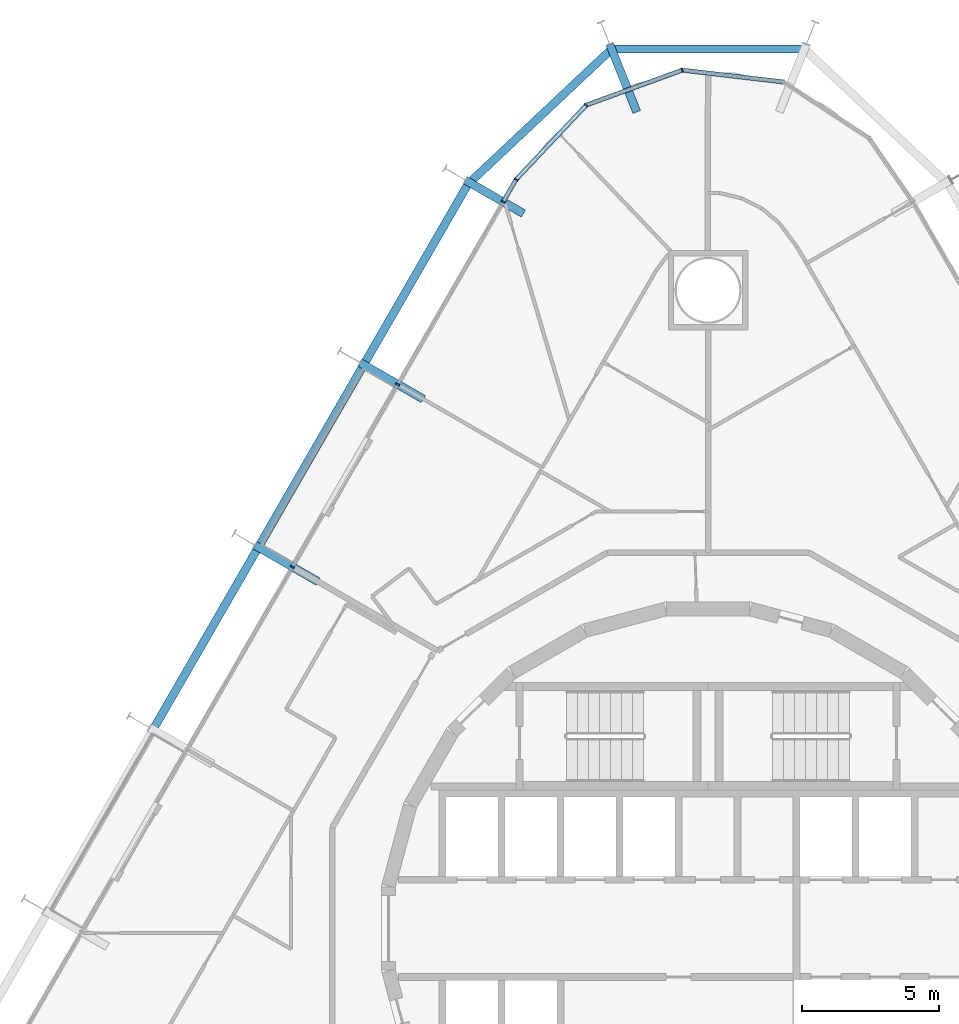
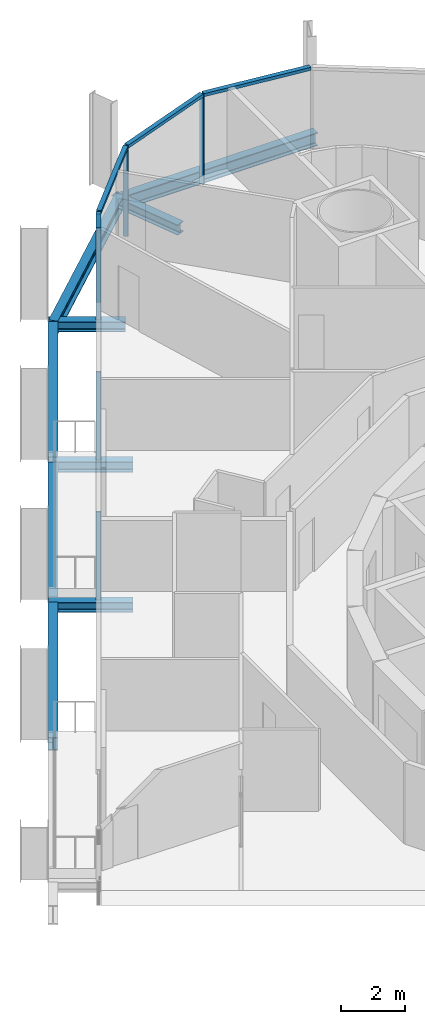
# One storey, part 9 of 19: 10 members, 9 beams, 2 elements without a shape of their own.
"""IFC4 building model written with IfcOpenShell, lengths in metres."""

from ifc_helpers import new_model, si_unit, direction, frame, origin, origin_2d, place, context, subcontext, project, spatial, rectangle, i_section, extrude, material, layer, layer_set, material_profile, profile_set, type_object, element, aggregate, save


model = new_model("IFC4")

# Units and contexts
model_context = context("Model", 3, precision=1e-05, world=origin(), true_north=direction((0.0, 1.0)))
body_context = subcontext(model_context, "Body", "Model", "MODEL_VIEW")
ifc_project = project(units=[si_unit("LENGTHUNIT", "METRE"), si_unit("AREAUNIT", "SQUARE_METRE"), si_unit("VOLUMEUNIT", "CUBIC_METRE"), si_unit("PLANEANGLEUNIT", "RADIAN"), si_unit("MASSUNIT", "GRAM", prefix="KILO")], contexts=[model_context])

# Site, building, storey
site_placement = place(None, origin())
site = spatial("IfcSite", under=ifc_project, at=site_placement, CompositionType="ELEMENT")
building_placement = place(site_placement, origin())
building = spatial("IfcBuilding", under=site, at=building_placement, Name="Spindle Arch Residences", CompositionType="ELEMENT")
storey_placement = place(building_placement, frame((0.0, 0.0, 45.39990234375)))
storey = spatial("IfcBuildingStorey", under=building, at=storey_placement, Name="L09", CompositionType="ELEMENT", Elevation=45.39990234375)

# Curtain wall, members
ifc_material_1 = material(Name="Aluminium bronze unitised frame with tinted glass", Category="aluminium")
ifc_layer_1 = layer(ifc_material_1, 0.159912109375)
ifc_layer_set_1 = layer_set([ifc_layer_1], Name="CW-D corner wall on the fillet arcs")
curtain_wall_type_1 = type_object("IfcCurtainWallType", Name="CW-D corner wall on the fillet arcs", PredefinedType="NOTDEFINED", material=ifc_layer_set_1)
curtain_wall_1_placement = place(storey_placement, origin())
curtain_wall_1 = element("IfcCurtainWall", 1, at=curtain_wall_1_placement, inside=storey, type_object=curtain_wall_type_1, Name="CW-D L09 run 3", PredefinedType="NOTDEFINED")
ifc_material_2 = material(Name="Aluminium bronze anodised mullion", Category="aluminium")
ifc_material_profile_1 = material_profile(ifc_material_2, rectangle(XDim=0.159912109375, YDim=0.06005859375, at=origin_2d()), Name="MU 60x160")
ifc_profile_set_1 = profile_set([ifc_material_profile_1], Name="Aluminium bronze anodised mullion")
member_type_1 = type_object("IfcMemberType", Name="Bronze mullion 60x160", PredefinedType="MULLION", material=ifc_profile_set_1)
member_1_placement = place(storey_placement, frame((-0.93798828125, 31.28515625, -0.3798828125), z_axis=(0.0, 0.0, 1.0), x_axis=(0.342020141538, -0.939692621437, 0.0)))
member_1 = element("IfcMember", 2, at=member_1_placement, type_object=member_type_1, Name="CW-D mullion 03", PredefinedType="MULLION", context=body_context, shape_type="SweptSolid", body=[
    extrude(rectangle(XDim=0.159912109375, YDim=0.06005859375, at=origin_2d()), origin(), (0.0, 0.0, 1.0), 3.3798828125),
])
member_2_placement = place(storey_placement, frame((-4.43994140625, 30.010498046875, -0.3798828125), z_axis=(0.0, 0.0, 1.0), x_axis=(0.727373640284, -0.686241639236, 0.0)))
member_2 = element("IfcMember", 3, at=member_2_placement, type_object=member_type_1, Name="CW-D mullion 04", PredefinedType="MULLION", context=body_context, shape_type="SweptSolid", body=[
    extrude(rectangle(XDim=0.159912109375, YDim=0.06005859375, at=origin_2d()), origin(), (0.0, 0.0, 1.0), 3.3798828125),
])
member_3_placement = place(storey_placement, frame((-6.99755859375, 27.2998046875, -0.3798828125), z_axis=(0.0, 0.0, 1.0), x_axis=(0.866025403784, -0.5, 0.0)))
member_3 = element("IfcMember", 4, at=member_3_placement, type_object=member_type_1, Name="CW-D mullion 05", PredefinedType="MULLION", context=body_context, shape_type="SweptSolid", body=[
    extrude(rectangle(XDim=0.159912109375, YDim=0.06005859375, at=origin_2d()), origin(), (0.0, 0.0, 1.0), 3.3798828125),
])

ifc_material_3 = material(Name="Aluminium bronze unitised frame with tinted glass", Category="aluminium")
ifc_layer_2 = layer(ifc_material_3, 0.159912109375)
ifc_layer_set_2 = layer_set([ifc_layer_2], Name="CW-C typical residential unitised wall")
curtain_wall_type_2 = type_object("IfcCurtainWallType", Name="CW-C typical residential unitised wall", PredefinedType="NOTDEFINED", material=ifc_layer_set_2)
curtain_wall_2_placement = place(storey_placement, origin())
curtain_wall_2 = element("IfcCurtainWall", 5, at=curtain_wall_2_placement, inside=storey, type_object=curtain_wall_type_2, Name="CW-C L09 run 4", PredefinedType="NOTDEFINED")
member_4_placement = place(storey_placement, frame((-7.46923828125, 26.48291015625, -0.3798828125), z_axis=(0.0, 0.0, 1.0), x_axis=(0.866025403784, -0.5, 0.0)))
member_4 = element("IfcMember", 6, at=member_4_placement, type_object=member_type_1, Name="CW-C mullion 13", PredefinedType="MULLION", context=body_context, shape_type="SweptSolid", body=[
    extrude(rectangle(XDim=0.159912109375, YDim=0.06005859375, at=origin_2d()), origin(), (0.0, 0.0, 1.0), 3.3798828125),
])
member_5_placement = place(storey_placement, frame((-11.309326171875, 19.83154296875, -0.3798828125), z_axis=(0.0, 0.0, 1.0), x_axis=(0.866025403784, -0.5, 0.0)))
member_5 = element("IfcMember", 7, at=member_5_placement, type_object=member_type_1, Name="CW-C mullion 14", PredefinedType="MULLION", context=body_context, shape_type="SweptSolid", body=[
    extrude(rectangle(XDim=0.159912109375, YDim=0.06005859375, at=origin_2d()), origin(), (0.0, 0.0, 1.0), 3.3798828125),
])
member_6_placement = place(storey_placement, frame((-15.149169921875, 13.180419921875, -0.3798828125), z_axis=(0.0, 0.0, 1.0), x_axis=(0.866025403784, -0.5, 0.0)))
member_6 = element("IfcMember", 8, at=member_6_placement, type_object=member_type_1, Name="CW-C mullion 15", PredefinedType="MULLION", context=body_context, shape_type="SweptSolid", body=[
    extrude(rectangle(XDim=0.159912109375, YDim=0.06005859375, at=origin_2d()), origin(), (0.0, 0.0, 1.0), 3.3798828125),
])
aggregate(curtain_wall_2, [member_4, member_5, member_6])

# Member
ifc_material_4 = material(Name="Aluminium bronze anodised transom", Category="aluminium")
ifc_material_profile_2 = material_profile(ifc_material_4, rectangle(XDim=0.159912109375, YDim=0.1201171875, at=origin_2d()), Name="TR 120x160")
ifc_profile_set_2 = profile_set([ifc_material_profile_2], Name="Aluminium bronze anodised transom")
member_type_2 = type_object("IfcMemberType", Name="Bronze transom 120x160", PredefinedType="USERDEFINED", material=ifc_profile_set_2)
member_7_placement = place(storey_placement, frame((2.733642578125, 30.85595703125, 3.06005859375), z_axis=(-0.993234881174, 0.116122654204, 0.0), x_axis=(-0.116122654204, -0.993234881174, 0.0)))
member_7 = element("IfcMember", 9, at=member_7_placement, type_object=member_type_2, Name="CW-D transom 02", ObjectType="TRANSOM", PredefinedType="USERDEFINED", context=body_context, shape_type="SweptSolid", body=[
    extrude(rectangle(XDim=0.159912109375, YDim=0.1201171875, at=origin_2d()), origin(), (0.0, 0.0, 1.0), 3.666748046875),
])

member_8_placement = place(storey_placement, frame((-0.96630859375, 31.27490234375, 3.06005859375), z_axis=(-0.939686455819, -0.342037080957, 0.0), x_axis=(0.342037080957, -0.939686455819, 0.0)))
member_8 = element("IfcMember", 10, at=member_8_placement, type_object=member_type_2, Name="CW-D transom 03", ObjectType="TRANSOM", PredefinedType="USERDEFINED", context=body_context, shape_type="SweptSolid", body=[
    extrude(rectangle(XDim=0.159912109375, YDim=0.1201171875, at=origin_2d()), origin(), (0.0, 0.0, 1.0), 3.666748046875),
])

member_9_placement = place(storey_placement, frame((-4.460693359375, 29.98876953125, 3.06005859375), z_axis=(-0.686199156324, -0.727413718498, 0.0), x_axis=(0.727413718498, -0.686199156324, 0.0)))
member_9 = element("IfcMember", 11, at=member_9_placement, type_object=member_type_2, Name="CW-D transom 04", ObjectType="TRANSOM", PredefinedType="USERDEFINED", context=body_context, shape_type="SweptSolid", body=[
    extrude(rectangle(XDim=0.159912109375, YDim=0.1201171875, at=origin_2d()), origin(), (0.0, 0.0, 1.0), 3.666748046875),
])

member_10_placement = place(storey_placement, frame((-7.012451171875, 27.27392578125, 3.06005859375), z_axis=(-0.499913830031, -0.866075148324, 0.0), x_axis=(0.866075148324, -0.499913830031, 0.0)))
member_10 = element("IfcMember", 12, at=member_10_placement, type_object=member_type_2, Name="CW-D transom 05", ObjectType="TRANSOM", PredefinedType="USERDEFINED", context=body_context, shape_type="SweptSolid", body=[
    extrude(rectangle(XDim=0.159912109375, YDim=0.1201171875, at=origin_2d()), origin(), (0.0, 0.0, 1.0), 0.883544921875),
])

aggregate(curtain_wall_1, [member_7, member_1, member_8, member_2, member_9, member_3, member_10])

# Beams
ifc_material_5 = material(Name="Steel S460ML, intumescent coating R 120", Category="steel")
ifc_material_profile_3 = material_profile(ifc_material_5, i_section(OverallWidth=0.300048828125, OverallDepth=0.5, WebThickness=0.014404296875, FlangeThickness=0.028076171875, FilletRadius=0.027099609375, at=origin_2d()), Name="HEB 500")
ifc_profile_set_3 = profile_set([ifc_material_profile_3], Name="Steel S460ML, intumescent coating R 120")
beam_type_1 = type_object("IfcBeamType", Name="Exoskeleton edge beam HEB 500", PredefinedType="BEAM", material=ifc_profile_set_3)
beam_1_placement = place(storey_placement, frame((3.6181640625, 32.051513671875, -0.6298828125), z_axis=(-1.0, 0.0, 0.0), x_axis=(0.0, -1.0, 0.0)))
element("IfcBeam", 13, at=beam_1_placement, inside=storey, type_object=beam_type_1, Name="Exoskeleton edge beam 12", PredefinedType="BEAM", context=body_context, shape_type="SweptSolid", body=[
    extrude(i_section(OverallWidth=0.300048828125, OverallDepth=0.5, WebThickness=0.014404296875, FlangeThickness=0.028076171875, FilletRadius=0.027099609375, at=origin_2d()), origin(), (0.0, 0.0, 1.0), 7.236328125),
])
beam_2_placement = place(storey_placement, frame((-3.45849609375, 32.105712890625, -0.6298828125), z_axis=(-0.728394714383, -0.685157748303, 0.0), x_axis=(0.685157748303, -0.728394714383, 0.0)))
element("IfcBeam", 14, at=beam_2_placement, inside=storey, type_object=beam_type_1, Name="Exoskeleton edge beam 13", PredefinedType="BEAM", context=body_context, shape_type="SweptSolid", body=[
    extrude(i_section(OverallWidth=0.300048828125, OverallDepth=0.5, WebThickness=0.014404296875, FlangeThickness=0.028076171875, FilletRadius=0.027099609375, at=origin_2d()), origin(), (0.0, 0.0, 1.0), 7.250244140625),
])
beam_3_placement = place(storey_placement, frame((-8.775146484375, 27.086669921875, -0.6298828125), z_axis=(-0.500003477455, -0.866023396066, 0.0), x_axis=(0.866023396066, -0.500003477455, 0.0)))
element("IfcBeam", 15, at=beam_3_placement, inside=storey, type_object=beam_type_1, Name="Exoskeleton edge beam 14", PredefinedType="BEAM", context=body_context, shape_type="SweptSolid", body=[
    extrude(i_section(OverallWidth=0.300048828125, OverallDepth=0.5, WebThickness=0.014404296875, FlangeThickness=0.028076171875, FilletRadius=0.027099609375, at=origin_2d()), origin(), (0.0, 0.0, 1.0), 7.419921875),
])
for number, where, z_axis, x_axis, name in (
    (16, (-12.615234375, 20.435546875, -0.6298828125), (-0.49998923004, -0.866031621735, 0.0), (0.866031621735, -0.49998923004, 0.0), "Exoskeleton edge beam 15"),
    (17, (-16.455078125, 13.784423828125, -0.6298828125), (-0.5000139068, -0.866017374541, 0.0), (0.866017374541, -0.5000139068, 0.0), "Exoskeleton edge beam 16"),
):
    element("IfcBeam", number, at=place(storey_placement, frame(where, z_axis=z_axis, x_axis=x_axis)), inside=storey, type_object=beam_type_1, Name=name, PredefinedType="BEAM", context=body_context, shape_type="SweptSolid", body=[
        extrude(i_section(OverallWidth=0.300048828125, OverallDepth=0.5, WebThickness=0.014404296875, FlangeThickness=0.028076171875, FilletRadius=0.027099609375, at=origin_2d()), origin(), (0.0, 0.0, 1.0), 7.420166015625),
    ])
ifc_material_6 = material(Name="Steel S460ML, intumescent coating R 120", Category="steel")
ifc_material_profile_4 = material_profile(ifc_material_6, i_section(OverallWidth=0.300048828125, OverallDepth=0.389892578125, WebThickness=0.010986328125, FlangeThickness=0.01904296875, FilletRadius=0.027099609375, at=origin_2d()), Name="HEA 400")
ifc_profile_set_4 = profile_set([ifc_material_profile_4], Name="Steel S460ML, intumescent coating R 120")
beam_type_2 = type_object("IfcBeamType", Name="Floor outrigger HEA 400", PredefinedType="BEAM", material=ifc_profile_set_4)
beam_4_placement = place(storey_placement, frame((-3.581298828125, 32.220703125, -0.574951171875), z_axis=(0.371104734129, -0.928591016706, 0.0), x_axis=(0.928591016706, 0.371104734129, 0.0)))
element("IfcBeam", 18, at=beam_4_placement, inside=storey, type_object=beam_type_2, Name="Floor outrigger 13", PredefinedType="BEAM", context=body_context, shape_type="SweptSolid", body=[
    extrude(i_section(OverallWidth=0.300048828125, OverallDepth=0.389892578125, WebThickness=0.010986328125, FlangeThickness=0.01904296875, FilletRadius=0.027099609375, at=origin_2d()), origin(), (0.0, 0.0, 1.0), 2.64990234375),
])
beam_5_placement = place(storey_placement, frame((-8.828857421875, 27.267822265625, -0.574951171875), z_axis=(0.866002732682, -0.500039265445, 0.0), x_axis=(0.500039265445, 0.866002732682, 0.0)))
element("IfcBeam", 19, at=beam_5_placement, inside=storey, type_object=beam_type_2, Name="Floor outrigger 14", PredefinedType="BEAM", context=body_context, shape_type="SweptSolid", body=[
    extrude(i_section(OverallWidth=0.300048828125, OverallDepth=0.389892578125, WebThickness=0.010986328125, FlangeThickness=0.01904296875, FilletRadius=0.027099609375, at=origin_2d()), origin(), (0.0, 0.0, 1.0), 2.423583984375),
])
for number, where, z_axis, x_axis, name in (
    (20, (-12.6689453125, 20.61669921875, -0.574951171875), (0.866052124492, -0.499953715521, 0.0), (0.499953715521, 0.866052124492, 0.0), "Floor outrigger 15"),
    (21, (-16.5087890625, 13.965576171875, -0.574951171875), (0.865989200783, -0.500062700197, 0.0), (0.500062700197, 0.865989200783, 0.0), "Floor outrigger 16"),
):
    element("IfcBeam", number, at=place(storey_placement, frame(where, z_axis=z_axis, x_axis=x_axis)), inside=storey, type_object=beam_type_2, Name=name, PredefinedType="BEAM", context=body_context, shape_type="SweptSolid", body=[
        extrude(i_section(OverallWidth=0.300048828125, OverallDepth=0.389892578125, WebThickness=0.010986328125, FlangeThickness=0.01904296875, FilletRadius=0.027099609375, at=origin_2d()), origin(), (0.0, 0.0, 1.0), 2.650146484375),
    ])

save(model, "model.ifc")
